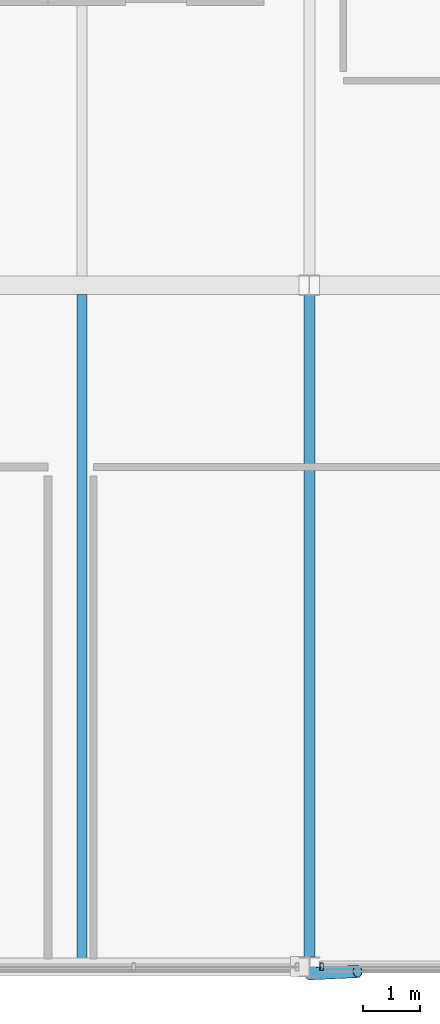
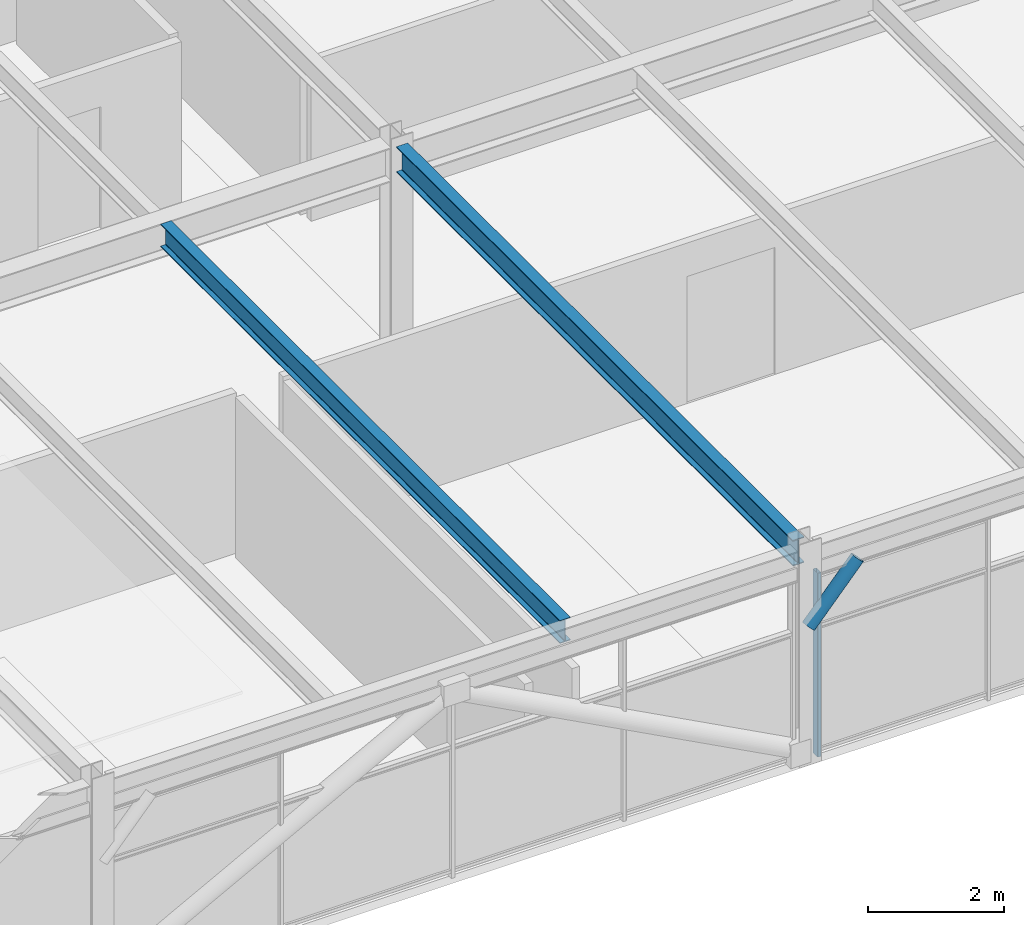
# One storey, part 7 of 32: 2 beams, 2 members, 1 element without a shape of its own.
"""IFC4 building model written with IfcOpenShell, lengths in metres."""

from ifc_helpers import new_model, si_unit, direction, frame, origin, origin_2d, place, context, subcontext, project, spatial, hollow_rectangle, hollow_circle, i_section, extrude, material, material_profile, profile_set, type_object, element, aggregate, save


model = new_model("IFC4")

# Units and contexts
model_context = context("Model", 3, precision=1e-05, world=origin(), true_north=direction((0.0, 1.0)))
body_context = subcontext(model_context, "Body", "Model", "MODEL_VIEW")
ifc_project = project(units=[si_unit("LENGTHUNIT", "METRE"), si_unit("AREAUNIT", "SQUARE_METRE"), si_unit("VOLUMEUNIT", "CUBIC_METRE"), si_unit("PLANEANGLEUNIT", "RADIAN"), si_unit("MASSUNIT", "GRAM", prefix="KILO")], contexts=[model_context])

# Site, building, storey
site_placement = place(None, origin())
site = spatial("IfcSite", under=ifc_project, at=site_placement, CompositionType="ELEMENT")
building_placement = place(site_placement, origin())
building = spatial("IfcBuilding", under=site, at=building_placement, Name="Girod Span Mobility Hub", CompositionType="ELEMENT")
storey_placement = place(building_placement, frame((0.0, 0.0, 61.60009765625)))
storey = spatial("IfcBuildingStorey", under=building, at=storey_placement, Name="L15", CompositionType="ELEMENT", Elevation=61.60009765625)

# Beams
ifc_material_1 = material(Name="Steel A992 Grade 50", Category="steel")
ifc_material_profile_1 = material_profile(ifc_material_1, i_section(OverallWidth=0.178955078125, OverallDepth=0.409912109375, WebThickness=0.0087890625, FlangeThickness=0.014404296875, FilletRadius=0.012939453125, at=origin_2d()), Name="W16X45")
ifc_profile_set_1 = profile_set([ifc_material_profile_1], Name="Steel A992 Grade 50")
beam_type_1 = type_object("IfcBeamType", Name="BM-STL-W16X45", PredefinedType="BEAM", material=ifc_profile_set_1)
beam_1_placement = place(storey_placement, frame((68.0, 45.10302734375, 3.635009765625), z_axis=(0.0, 1.0, 0.0), x_axis=(-1.0, 0.0, 0.0)))
element("IfcBeam", 1, at=beam_1_placement, inside=storey, type_object=beam_type_1, Name="Composite Floorbeam 6/D-2 L15", PredefinedType="BEAM", context=body_context, shape_type="SweptSolid", body=[
    extrude(i_section(OverallWidth=0.178955078125, OverallDepth=0.409912109375, WebThickness=0.0087890625, FlangeThickness=0.014404296875, FilletRadius=0.012939453125, at=origin_2d()), origin(), (0.0, 0.0, 1.0), 11.738037109375),
])
ifc_material_2 = material(Name="Steel A992 Grade 50", Category="steel")
ifc_material_profile_2 = material_profile(ifc_material_2, i_section(OverallWidth=0.19189453125, OverallDepth=0.462890625, WebThickness=0.010498046875, FlangeThickness=0.017578125, FilletRadius=0.013916015625, at=origin_2d()), Name="W18X60")
ifc_profile_set_2 = profile_set([ifc_material_profile_2], Name="Steel A992 Grade 50")
beam_type_2 = type_object("IfcBeamType", Name="BM-STL-W18X60", PredefinedType="BEAM", material=ifc_profile_set_2)
beam_2_placement = place(storey_placement, frame((72.0, 45.175048828125, 3.6083984375), z_axis=(0.0, 1.0, 0.0), x_axis=(-1.0, 0.0, 0.0)))
element("IfcBeam", 2, at=beam_2_placement, inside=storey, type_object=beam_type_2, Name="Tie Girder 7/D-E L15", PredefinedType="BEAM", context=body_context, shape_type="SweptSolid", body=[
    extrude(i_section(OverallWidth=0.19189453125, OverallDepth=0.462890625, WebThickness=0.010498046875, FlangeThickness=0.017578125, FilletRadius=0.013916015625, at=origin_2d()), origin(), (0.0, 0.0, 1.0), 11.64990234375),
])

# Curtain wall, member
ifc_material_3 = material(Name="Thermally Broken Anodised Aluminium", Category="aluminium")
curtain_wall_type = type_object("IfcCurtainWallType", Name="CW-1164X330", PredefinedType="USERDEFINED", material=ifc_material_3)
curtain_wall_placement = place(storey_placement, origin())
curtain_wall = element("IfcCurtainWall", 3, at=curtain_wall_placement, inside=storey, type_object=curtain_wall_type, Name="Unitised Curtain Wall CW-L15-S07 L15", ObjectType="UNITISED CURTAIN WALL", PredefinedType="USERDEFINED")
ifc_material_4 = material(Name="Thermally Broken Anodised Aluminium", Category="aluminium")
ifc_material_profile_3 = material_profile(ifc_material_4, hollow_rectangle(XDim=0.139892578125, YDim=0.06005859375, WallThickness=0.00341796875, InnerFilletRadius=0.00341796875, OuterFilletRadius=0.007080078125, at=origin_2d()), Name="CW-ML-60X140")
ifc_profile_set_3 = profile_set([ifc_material_profile_3], Name="Thermally Broken Anodised Aluminium")
member_type_1 = type_object("IfcMemberType", Name="CWM-ML-4", PredefinedType="MULLION", material=ifc_profile_set_3)
member_1_placement = place(storey_placement, frame((72.214599609375, 45.0, 0.0), z_axis=(0.0, 0.0, 1.0), x_axis=(0.0, 1.0, 0.0)))
member_1 = element("IfcMember", 4, at=member_1_placement, type_object=member_type_1, Name="Curtain Wall Mullion CW-L15-S07-M0", PredefinedType="MULLION", context=body_context, shape_type="SweptSolid", body=[
    extrude(hollow_rectangle(XDim=0.139892578125, YDim=0.06005859375, WallThickness=0.00341796875, InnerFilletRadius=0.00341796875, OuterFilletRadius=0.007080078125, at=origin_2d()), origin(), (0.0, 0.0, 1.0), 3.2958984375),
])
aggregate(curtain_wall, [member_1])

# Member
ifc_material_5 = material(Name="Steel HSS A500 Grade C", Category="steel")
ifc_material_profile_4 = material_profile(ifc_material_5, hollow_circle(Radius=0.109619140625, WallThickness=0.0087890625, at=origin_2d()), Name="HSS219X9.5")
ifc_profile_set_4 = profile_set([ifc_material_profile_4], Name="Steel HSS A500 Grade C")
member_type_2 = type_object("IfcMemberType", Name="MB-ST-HSS219", PredefinedType="STRUT", material=ifc_profile_set_4)
member_2_placement = place(storey_placement, frame((72.0, 44.8798828125, 2.449951171875), z_axis=(0.682328784125, 0.032137254623, 0.73033870719), x_axis=(-0.047047213483, 0.998892666758, 0.0)))
element("IfcMember", 5, at=member_2_placement, inside=storey, type_object=member_type_2, Name="Solar Shading Knee Strut 7 L15", PredefinedType="STRUT", context=body_context, shape_type="SweptSolid", body=[
    extrude(hollow_circle(Radius=0.109619140625, WallThickness=0.0087890625, at=origin_2d()), origin(), (0.0, 0.0, 1.0), 1.245849609375),
])

save(model, "model.ifc")
